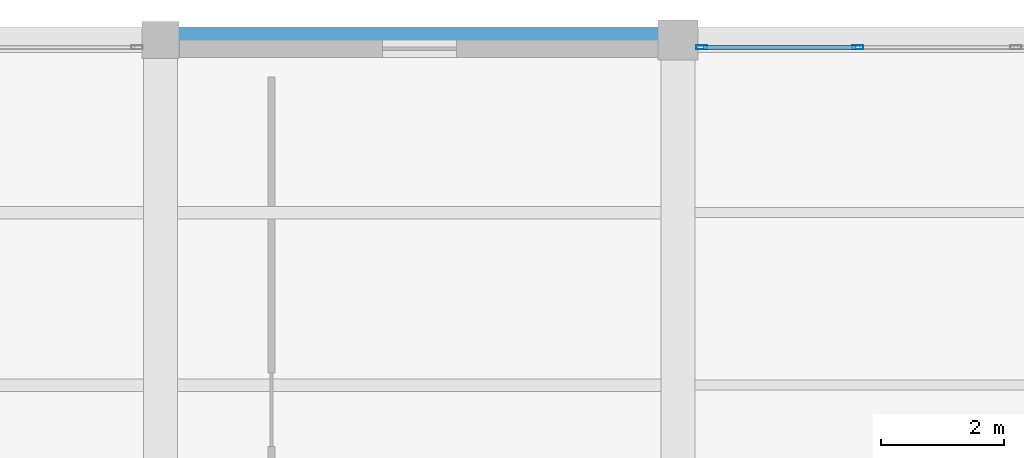
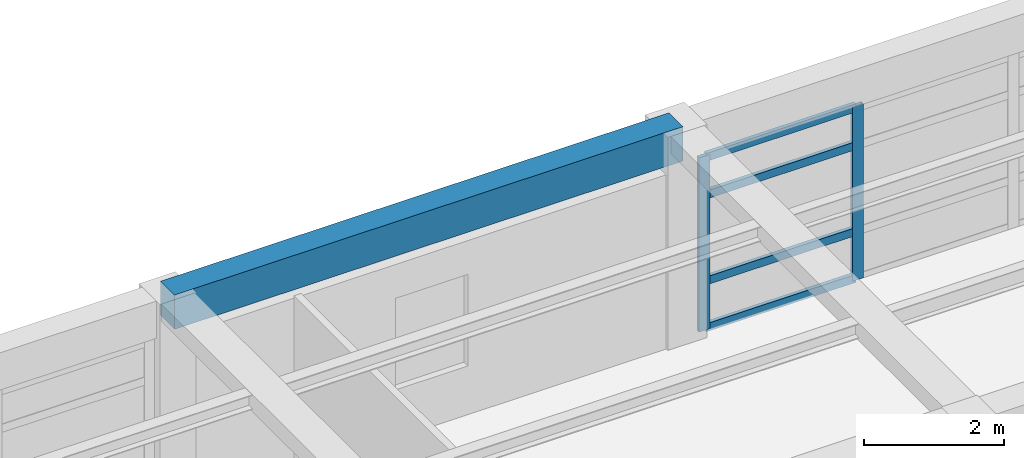
# One storey, part 20 of 26: 6 members, 1 beam, 1 element without a shape of its own.
"""IFC4 building model written with IfcOpenShell, lengths in metres."""

from ifc_helpers import new_model, si_unit, direction, frame, origin, origin_2d, place, context, subcontext, project, spatial, rectangle, hollow_rectangle, extrude, material, material_profile, profile_set, type_object, element, aggregate, save


model = new_model("IFC4")

# Units and contexts
model_context = context("Model", 3, precision=1e-05, world=origin(), true_north=direction((0.0, 1.0)))
body_context = subcontext(model_context, "Body", "Model", "MODEL_VIEW")
ifc_project = project(units=[si_unit("LENGTHUNIT", "METRE"), si_unit("AREAUNIT", "SQUARE_METRE"), si_unit("VOLUMEUNIT", "CUBIC_METRE"), si_unit("PLANEANGLEUNIT", "RADIAN"), si_unit("MASSUNIT", "GRAM", prefix="KILO")], contexts=[model_context])

# Site, building, storey
site_placement = place(None, origin())
site = spatial("IfcSite", under=ifc_project, at=site_placement, CompositionType="ELEMENT")
building_placement = place(site_placement, origin())
building = spatial("IfcBuilding", under=site, at=building_placement, Name="Almacenes y Pasaje Nevantli", CompositionType="ELEMENT")
storey_placement = place(building_placement, frame((0.0, 0.0, 46.699951171875)))
storey = spatial("IfcBuildingStorey", under=building, at=storey_placement, Name="L11", CompositionType="ELEMENT", Elevation=46.699951171875)

# Beam
ifc_material_1 = material(Name="Concrete C35/45", Category="concrete")
ifc_material_profile_1 = material_profile(ifc_material_1, rectangle(XDim=0.39990234375, YDim=0.60009765625, at=origin_2d()), Name="RC-BM-400x600")
ifc_profile_set_1 = profile_set([ifc_material_profile_1], Name="Concrete C35/45")
beam_type = type_object("IfcBeamType", Name="BM-RC-400x600", PredefinedType="SPANDREL", material=ifc_profile_set_1)
beam_placement = place(storey_placement, frame((142.800048828125, 100.800048828125, 3.420166015625), z_axis=(1.0, 0.0, 0.0), x_axis=(0.0, 1.0, 0.0)))
element("IfcBeam", 1, at=beam_placement, inside=storey, type_object=beam_type, Name="L11 East-West Reinforced Concrete Beam #3867", PredefinedType="SPANDREL", context=body_context, shape_type="SweptSolid", body=[
    extrude(rectangle(XDim=0.39990234375, YDim=0.60009765625, at=origin_2d()), origin(), (0.0, 0.0, 1.0), 8.39990234375),
])

# Curtain wall, members
ifc_material_2 = material(Name="Thermally Broken Aluminium and Low-E Glass", Category="aluminium")
curtain_wall_type = type_object("IfcCurtainWallType", Name="CW-UNIT-TOWER", PredefinedType="USERDEFINED", material=ifc_material_2)
curtain_wall_placement = place(storey_placement, origin())
curtain_wall = element("IfcCurtainWall", 2, at=curtain_wall_placement, inside=storey, type_object=curtain_wall_type, Name="L11 Tower North Boulevard Unitized Curtain Wall Bay 19", ObjectType="UNITIZED CURTAIN WALL", PredefinedType="USERDEFINED")
ifc_material_3 = material(Name="Thermally Broken Anodized Aluminium", Category="aluminium")
ifc_material_profile_2 = material_profile(ifc_material_3, hollow_rectangle(XDim=0.06494140625, YDim=0.179931640625, WallThickness=0.00390625, at=origin_2d()), Name="ALU-MUL-65x180")
ifc_profile_set_2 = profile_set([ifc_material_profile_2], Name="Thermally Broken Anodized Aluminium")
member_type_1 = type_object("IfcMemberType", Name="CW-MUL-200", PredefinedType="MULLION", material=ifc_profile_set_2)
member_1_placement = place(storey_placement, frame((151.58251953125, 100.679931640625, 0.0), z_axis=(0.0, 0.0, 1.0), x_axis=(0.0, 1.0, 0.0)))
member_1 = element("IfcMember", 3, at=member_1_placement, type_object=member_type_1, Name="CW-L11-154 mullion 1", PredefinedType="MULLION", context=body_context, shape_type="SweptSolid", body=[
    extrude(hollow_rectangle(XDim=0.06494140625, YDim=0.179931640625, WallThickness=0.00390625, at=origin_2d()), origin(), (0.0, 0.0, 1.0), 3.0400390625),
])
member_2_placement = place(storey_placement, frame((154.11669921875, 100.679931640625, 0.0), z_axis=(0.0, 0.0, 1.0), x_axis=(0.0, 1.0, 0.0)))
member_2 = element("IfcMember", 4, at=member_2_placement, type_object=member_type_1, Name="CW-L11-154 mullion 2", PredefinedType="MULLION", context=body_context, shape_type="SweptSolid", body=[
    extrude(hollow_rectangle(XDim=0.06494140625, YDim=0.179931640625, WallThickness=0.00390625, at=origin_2d()), origin(), (0.0, 0.0, 1.0), 3.0400390625),
])
ifc_material_4 = material(Name="Thermally Broken Anodized Aluminium", Category="aluminium")
ifc_material_profile_3 = material_profile(ifc_material_4, hollow_rectangle(XDim=0.06494140625, YDim=0.139892578125, WallThickness=0.00390625, at=origin_2d()), Name="ALU-TRN-65x140")
ifc_profile_set_3 = profile_set([ifc_material_profile_3], Name="Thermally Broken Anodized Aluminium")
member_type_2 = type_object("IfcMemberType", Name="CW-TRN-150", PredefinedType="USERDEFINED", material=ifc_profile_set_3)
member_3_placement = place(storey_placement, frame((151.614990234375, 100.679931640625, 0.032470703125), z_axis=(1.0, 0.0, 0.0), x_axis=(0.0, 1.0, 0.0)))
member_3 = element("IfcMember", 5, at=member_3_placement, type_object=member_type_2, Name="CW-L11-154 transom 1.1", ObjectType="TRANSOM", PredefinedType="USERDEFINED", context=body_context, shape_type="SweptSolid", body=[
    extrude(hollow_rectangle(XDim=0.06494140625, YDim=0.139892578125, WallThickness=0.00390625, at=origin_2d()), origin(), (0.0, 0.0, 1.0), 2.46923828125),
])
member_4_placement = place(storey_placement, frame((151.614990234375, 100.679931640625, 0.85009765625), z_axis=(1.0, 0.0, 0.0), x_axis=(0.0, 1.0, 0.0)))
member_4 = element("IfcMember", 6, at=member_4_placement, type_object=member_type_2, Name="CW-L11-154 transom 1.2", ObjectType="TRANSOM", PredefinedType="USERDEFINED", context=body_context, shape_type="SweptSolid", body=[
    extrude(hollow_rectangle(XDim=0.06494140625, YDim=0.139892578125, WallThickness=0.00390625, at=origin_2d()), origin(), (0.0, 0.0, 1.0), 2.46923828125),
])
member_5_placement = place(storey_placement, frame((151.614990234375, 100.679931640625, 2.35009765625), z_axis=(1.0, 0.0, 0.0), x_axis=(0.0, 1.0, 0.0)))
member_5 = element("IfcMember", 7, at=member_5_placement, type_object=member_type_2, Name="CW-L11-154 transom 1.3", ObjectType="TRANSOM", PredefinedType="USERDEFINED", context=body_context, shape_type="SweptSolid", body=[
    extrude(hollow_rectangle(XDim=0.06494140625, YDim=0.139892578125, WallThickness=0.00390625, at=origin_2d()), origin(), (0.0, 0.0, 1.0), 2.46923828125),
])
member_6_placement = place(storey_placement, frame((151.614990234375, 100.679931640625, 3.007568359375), z_axis=(1.0, 0.0, 0.0), x_axis=(0.0, 1.0, 0.0)))
member_6 = element("IfcMember", 8, at=member_6_placement, type_object=member_type_2, Name="CW-L11-154 transom 1.4", ObjectType="TRANSOM", PredefinedType="USERDEFINED", context=body_context, shape_type="SweptSolid", body=[
    extrude(hollow_rectangle(XDim=0.06494140625, YDim=0.139892578125, WallThickness=0.00390625, at=origin_2d()), origin(), (0.0, 0.0, 1.0), 2.46923828125),
])
aggregate(curtain_wall, [member_1, member_2, member_3, member_4, member_5, member_6])

save(model, "model.ifc")
